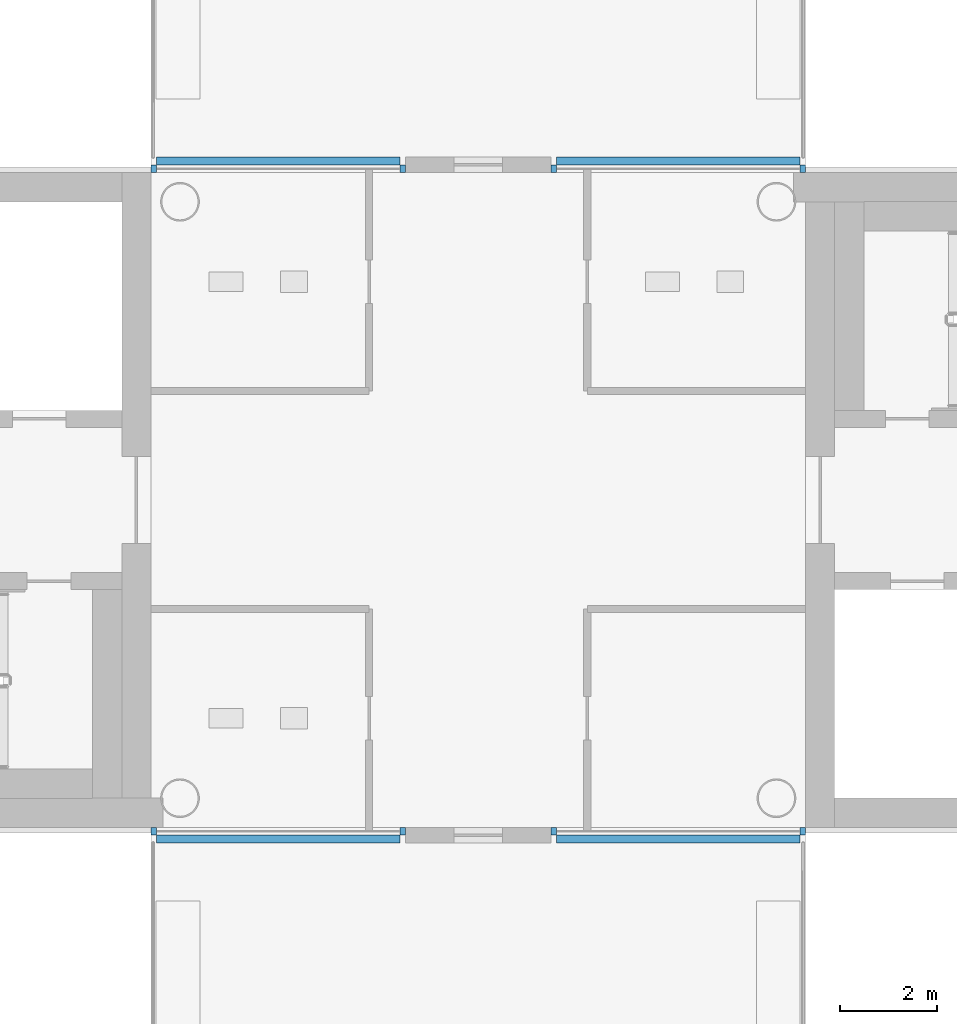
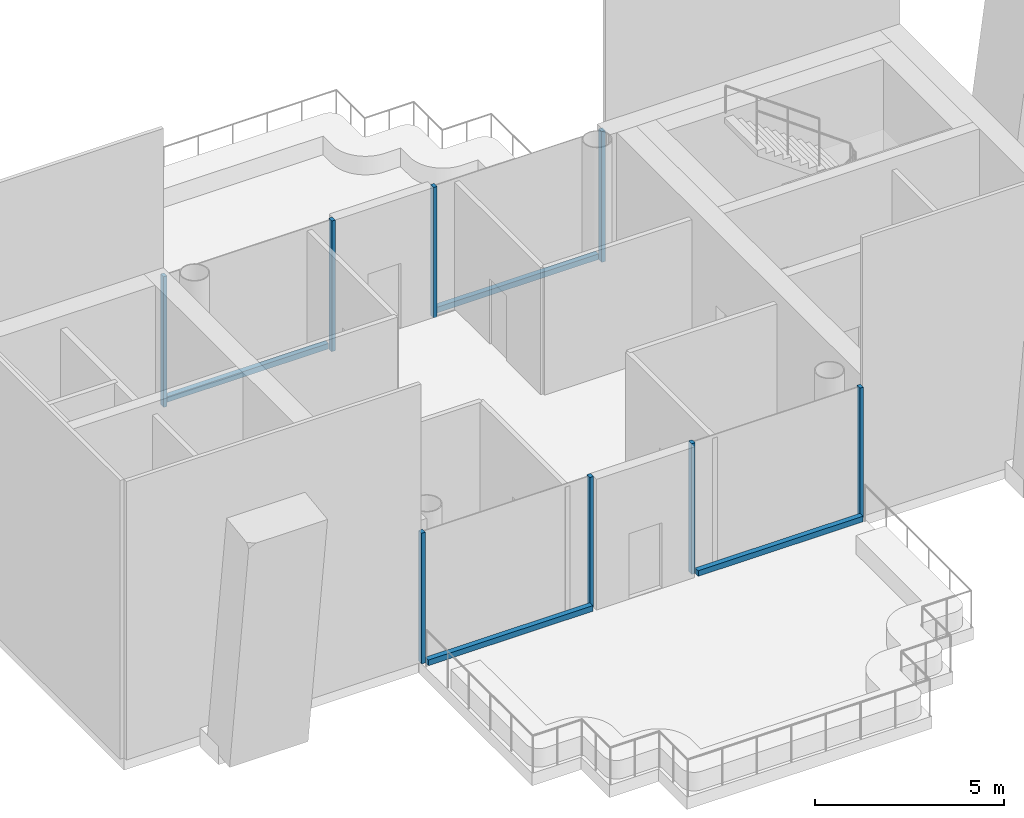
# One storey, part 2 of 17: 12 members, 4 elements without a shape of their own.
"""IFC4 building model written with IfcOpenShell, lengths in metres."""

from ifc_helpers import new_model, si_unit, direction, frame, origin, origin_2d, place, context, subcontext, project, spatial, rectangle, extrude, material, layer, layer_set, material_profile, profile_set, type_object, element, aggregate, save


model = new_model("IFC4")

# Units and contexts
model_context = context("Model", 3, precision=1e-05, world=origin(), true_north=direction((0.0, 1.0)))
body_context = subcontext(model_context, "Body", "Model", "MODEL_VIEW")
ifc_project = project(units=[si_unit("LENGTHUNIT", "METRE"), si_unit("AREAUNIT", "SQUARE_METRE"), si_unit("VOLUMEUNIT", "CUBIC_METRE"), si_unit("PLANEANGLEUNIT", "RADIAN"), si_unit("MASSUNIT", "GRAM", prefix="KILO")], contexts=[model_context])

# Site, building, storey
site_placement = place(None, origin())
site = spatial("IfcSite", under=ifc_project, at=site_placement, CompositionType="ELEMENT")
building_placement = place(site_placement, origin())
building = spatial("IfcBuilding", under=site, at=building_placement, Name="Ipe Terrace Towers", CompositionType="ELEMENT")
storey_placement = place(building_placement, frame((0.0, 0.0, 246.89990234375)))
storey = spatial("IfcBuildingStorey", under=building, at=storey_placement, Name="L68", CompositionType="ELEMENT", Elevation=246.89990234375)

# Curtain wall, members
ifc_material_1 = material(Name="Aluminium alloy 6063-T6", Category="aluminium")
ifc_layer = layer(ifc_material_1, 0.320068359375)
ifc_layer_set = layer_set([ifc_layer], Name="TERRACE FRONT CURTAIN WALL")
curtain_wall_type = type_object("IfcCurtainWallType", Name="TERRACE FRONT CURTAIN WALL", PredefinedType="NOTDEFINED", material=ifc_layer_set)
curtain_wall_1_placement = place(storey_placement, origin())
curtain_wall_1 = element("IfcCurtainWall", 1, at=curtain_wall_1_placement, inside=storey, type_object=curtain_wall_type, Name="T1-CW-L68-00b curtain wall", PredefinedType="NOTDEFINED")
ifc_material_2 = material(Name="Aluminium alloy 6063-T6", Category="aluminium")
ifc_material_profile_1 = material_profile(ifc_material_2, rectangle(XDim=0.159912109375, YDim=0.110107421875, at=origin_2d()), Name="TERRACE FRONT CORNER MULLION 160 x 110")
ifc_profile_set_1 = profile_set([ifc_material_profile_1], Name="Aluminium alloy 6063-T6")
member_type_1 = type_object("IfcMemberType", Name="TERRACE FRONT CORNER MULLION 160 x 110", PredefinedType="MULLION", material=ifc_profile_set_1)
member_1_placement = place(storey_placement, frame((-42.694091796875, -6.830078125, -0.02001953125), z_axis=(0.0, 0.0, 1.0), x_axis=(0.0, -1.0, 0.0)))
member_1 = element("IfcMember", 2, at=member_1_placement, type_object=member_type_1, Name="T1-CW-L68-00b mullion 1", PredefinedType="MULLION", context=body_context, shape_type="SweptSolid", body=[
    extrude(rectangle(XDim=0.159912109375, YDim=0.110107421875, at=origin_2d()), origin(), (0.0, 0.0, 1.0), 4.22021484375),
])
member_2_placement = place(storey_placement, frame((-37.554931640625, -6.830078125, -0.02001953125), z_axis=(0.0, 0.0, 1.0), x_axis=(0.0, -1.0, 0.0)))
member_2 = element("IfcMember", 3, at=member_2_placement, type_object=member_type_1, Name="T1-CW-L68-00b mullion 2", PredefinedType="MULLION", context=body_context, shape_type="SweptSolid", body=[
    extrude(rectangle(XDim=0.159912109375, YDim=0.110107421875, at=origin_2d()), origin(), (0.0, 0.0, 1.0), 4.22021484375),
])

curtain_wall_2_placement = place(storey_placement, origin())
curtain_wall_2 = element("IfcCurtainWall", 4, at=curtain_wall_2_placement, inside=storey, type_object=curtain_wall_type, Name="T1-CW-L68-00d curtain wall", PredefinedType="NOTDEFINED")
member_3_placement = place(storey_placement, frame((-34.445068359375, -6.830078125, -0.02001953125), z_axis=(0.0, 0.0, 1.0), x_axis=(0.0, -1.0, 0.0)))
member_3 = element("IfcMember", 5, at=member_3_placement, type_object=member_type_1, Name="T1-CW-L68-00d mullion 1", PredefinedType="MULLION", context=body_context, shape_type="SweptSolid", body=[
    extrude(rectangle(XDim=0.159912109375, YDim=0.110107421875, at=origin_2d()), origin(), (0.0, 0.0, 1.0), 4.22021484375),
])
member_4_placement = place(storey_placement, frame((-29.305908203125, -6.830078125, -0.02001953125), z_axis=(0.0, 0.0, 1.0), x_axis=(0.0, -1.0, 0.0)))
member_4 = element("IfcMember", 6, at=member_4_placement, type_object=member_type_1, Name="T1-CW-L68-00d mullion 2", PredefinedType="MULLION", context=body_context, shape_type="SweptSolid", body=[
    extrude(rectangle(XDim=0.159912109375, YDim=0.110107421875, at=origin_2d()), origin(), (0.0, 0.0, 1.0), 4.22021484375),
])

curtain_wall_3_placement = place(storey_placement, origin())
curtain_wall_3 = element("IfcCurtainWall", 7, at=curtain_wall_3_placement, inside=storey, type_object=curtain_wall_type, Name="T1-CW-L68-02b curtain wall", PredefinedType="NOTDEFINED")
member_5_placement = place(storey_placement, frame((-29.305908203125, 6.830078125, -0.02001953125), z_axis=(0.0, 0.0, 1.0), x_axis=(0.0, 1.0, 0.0)))
member_5 = element("IfcMember", 8, at=member_5_placement, type_object=member_type_1, Name="T1-CW-L68-02b mullion 1", PredefinedType="MULLION", context=body_context, shape_type="SweptSolid", body=[
    extrude(rectangle(XDim=0.159912109375, YDim=0.110107421875, at=origin_2d()), origin(), (0.0, 0.0, 1.0), 4.22021484375),
])
member_6_placement = place(storey_placement, frame((-34.445068359375, 6.830078125, -0.02001953125), z_axis=(0.0, 0.0, 1.0), x_axis=(0.0, 1.0, 0.0)))
member_6 = element("IfcMember", 9, at=member_6_placement, type_object=member_type_1, Name="T1-CW-L68-02b mullion 2", PredefinedType="MULLION", context=body_context, shape_type="SweptSolid", body=[
    extrude(rectangle(XDim=0.159912109375, YDim=0.110107421875, at=origin_2d()), origin(), (0.0, 0.0, 1.0), 4.22021484375),
])

curtain_wall_4_placement = place(storey_placement, origin())
curtain_wall_4 = element("IfcCurtainWall", 10, at=curtain_wall_4_placement, inside=storey, type_object=curtain_wall_type, Name="T1-CW-L68-02d curtain wall", PredefinedType="NOTDEFINED")
member_7_placement = place(storey_placement, frame((-37.554931640625, 6.830078125, -0.02001953125), z_axis=(0.0, 0.0, 1.0), x_axis=(0.0, 1.0, 0.0)))
member_7 = element("IfcMember", 11, at=member_7_placement, type_object=member_type_1, Name="T1-CW-L68-02d mullion 1", PredefinedType="MULLION", context=body_context, shape_type="SweptSolid", body=[
    extrude(rectangle(XDim=0.159912109375, YDim=0.110107421875, at=origin_2d()), origin(), (0.0, 0.0, 1.0), 4.22021484375),
])
member_8_placement = place(storey_placement, frame((-42.694091796875, 6.830078125, -0.02001953125), z_axis=(0.0, 0.0, 1.0), x_axis=(0.0, 1.0, 0.0)))
member_8 = element("IfcMember", 12, at=member_8_placement, type_object=member_type_1, Name="T1-CW-L68-02d mullion 2", PredefinedType="MULLION", context=body_context, shape_type="SweptSolid", body=[
    extrude(rectangle(XDim=0.159912109375, YDim=0.110107421875, at=origin_2d()), origin(), (0.0, 0.0, 1.0), 4.22021484375),
])

# Member
ifc_material_3 = material(Name="Aluminium alloy 6063-T6", Category="aluminium")
ifc_material_profile_2 = material_profile(ifc_material_3, rectangle(XDim=0.159912109375, YDim=0.179931640625, at=origin_2d()), Name="TERRACE FRONT TRANSOM 160 x 180")
ifc_profile_set_2 = profile_set([ifc_material_profile_2], Name="Aluminium alloy 6063-T6")
member_type_2 = type_object("IfcMemberType", Name="TERRACE FRONT TRANSOM 160 x 180", PredefinedType="USERDEFINED", material=ifc_profile_set_2)
member_9_placement = place(storey_placement, frame((-42.638916015625, -6.989990234375, 0.070068359375), z_axis=(1.0, 0.0, 0.0), x_axis=(0.0, -1.0, 0.0)))
member_9 = element("IfcMember", 13, at=member_9_placement, type_object=member_type_2, Name="T1-CW-L68-00b transom", ObjectType="TRANSOM", PredefinedType="USERDEFINED", context=body_context, shape_type="SweptSolid", body=[
    extrude(rectangle(XDim=0.159912109375, YDim=0.179931640625, at=origin_2d()), origin(), (0.0, 0.0, 1.0), 5.02880859375),
])

aggregate(curtain_wall_1, [member_1, member_2, member_9])

member_10_placement = place(storey_placement, frame((-34.389892578125, -6.989990234375, 0.070068359375), z_axis=(1.0, 0.0, 0.0), x_axis=(0.0, -1.0, 0.0)))
member_10 = element("IfcMember", 14, at=member_10_placement, type_object=member_type_2, Name="T1-CW-L68-00d transom", ObjectType="TRANSOM", PredefinedType="USERDEFINED", context=body_context, shape_type="SweptSolid", body=[
    extrude(rectangle(XDim=0.159912109375, YDim=0.179931640625, at=origin_2d()), origin(), (0.0, 0.0, 1.0), 5.02880859375),
])

aggregate(curtain_wall_2, [member_3, member_4, member_10])

member_11_placement = place(storey_placement, frame((-29.361083984375, 6.989990234375, 0.070068359375), z_axis=(-1.0, 0.0, 0.0), x_axis=(0.0, 1.0, 0.0)))
member_11 = element("IfcMember", 15, at=member_11_placement, type_object=member_type_2, Name="T1-CW-L68-02b transom", ObjectType="TRANSOM", PredefinedType="USERDEFINED", context=body_context, shape_type="SweptSolid", body=[
    extrude(rectangle(XDim=0.159912109375, YDim=0.179931640625, at=origin_2d()), origin(), (0.0, 0.0, 1.0), 5.02880859375),
])

aggregate(curtain_wall_3, [member_5, member_6, member_11])

member_12_placement = place(storey_placement, frame((-37.610107421875, 6.989990234375, 0.070068359375), z_axis=(-1.0, 0.0, 0.0), x_axis=(0.0, 1.0, 0.0)))
member_12 = element("IfcMember", 16, at=member_12_placement, type_object=member_type_2, Name="T1-CW-L68-02d transom", ObjectType="TRANSOM", PredefinedType="USERDEFINED", context=body_context, shape_type="SweptSolid", body=[
    extrude(rectangle(XDim=0.159912109375, YDim=0.179931640625, at=origin_2d()), origin(), (0.0, 0.0, 1.0), 5.02880859375),
])

aggregate(curtain_wall_4, [member_7, member_8, member_12])

save(model, "model.ifc")
